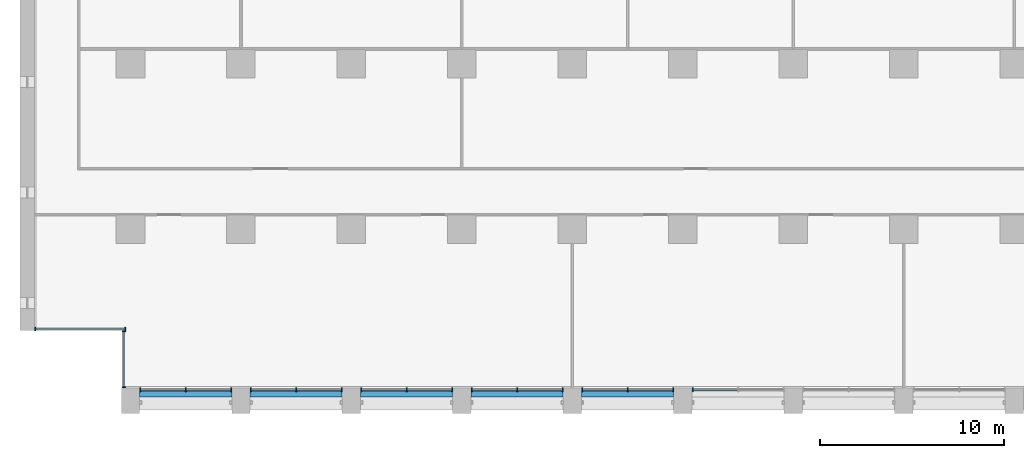
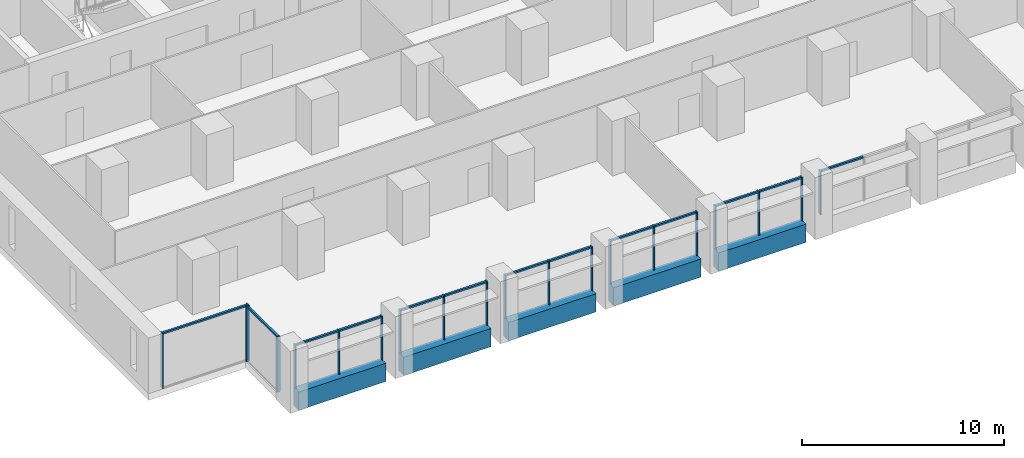
# One storey, part 2 of 17: 33 members, 5 beams, 8 elements without a shape of their own.
"""IFC4 building model written with IfcOpenShell, lengths in metres."""

from ifc_helpers import new_model, si_unit, direction, frame, origin, origin_2d, place, context, subcontext, project, spatial, rectangle, extrude, material, material_profile, profile_set, type_object, element, aggregate, save


model = new_model("IFC4")

# Units and contexts
model_context = context("Model", 3, precision=1e-05, world=origin(), true_north=direction((0.0, 1.0)))
body_context = subcontext(model_context, "Body", "Model", "MODEL_VIEW")
ifc_project = project(units=[si_unit("LENGTHUNIT", "METRE"), si_unit("AREAUNIT", "SQUARE_METRE"), si_unit("VOLUMEUNIT", "CUBIC_METRE"), si_unit("PLANEANGLEUNIT", "RADIAN"), si_unit("MASSUNIT", "GRAM", prefix="KILO")], contexts=[model_context])

# Site, building, storey
site_placement = place(None, origin())
site = spatial("IfcSite", under=ifc_project, at=site_placement, CompositionType="ELEMENT")
building_placement = place(site_placement, origin())
building = spatial("IfcBuilding", under=site, at=building_placement, Name="Calvaro Tower", CompositionType="ELEMENT")
storey_placement = place(building_placement, frame((0.0, 0.0, 75.0)))
storey = spatial("IfcBuildingStorey", under=building, at=storey_placement, Name="L18", CompositionType="ELEMENT", Elevation=75.0)

# Curtain wall, members
ifc_material_1 = material(Name="Anodised aluminium", Category="aluminium")
curtain_wall_type = type_object("IfcCurtainWallType", Name="Office curtain wall, lower zone", PredefinedType="NOTDEFINED", material=ifc_material_1)
curtain_wall_1_placement = place(storey_placement, origin())
curtain_wall_1 = element("IfcCurtainWall", 1, at=curtain_wall_1_placement, inside=storey, type_object=curtain_wall_type, Name="CW1 south curtain wall", PredefinedType="NOTDEFINED")
ifc_material_2 = material(Name="Anodised aluminium", Category="aluminium")
ifc_material_profile_1 = material_profile(ifc_material_2, rectangle(XDim=0.199951171875, YDim=0.06005859375, at=origin_2d()), Name="Mullion S1 60 x 200")
ifc_profile_set_1 = profile_set([ifc_material_profile_1], Name="Anodised aluminium")
member_type_1 = type_object("IfcMemberType", Name="Mullion S1 60 x 200", PredefinedType="MULLION", material=ifc_profile_set_1)
member_1_placement = place(storey_placement, frame((6.530029296875, 1.300048828125, 0.0), z_axis=(0.0, 0.0, 1.0), x_axis=(0.0, 1.0, 0.0)))
member_1 = element("IfcMember", 2, at=member_1_placement, type_object=member_type_1, Name="CW1 mullion 1", PredefinedType="MULLION", context=body_context, shape_type="SweptSolid", body=[
    extrude(rectangle(XDim=0.199951171875, YDim=0.06005859375, at=origin_2d()), origin(), (0.0, 0.0, 1.0), 2.64990234375),
])
member_2_placement = place(storey_placement, frame((9.0, 1.300048828125, 0.0), z_axis=(0.0, 0.0, 1.0), x_axis=(0.0, 1.0, 0.0)))
member_2 = element("IfcMember", 3, at=member_2_placement, type_object=member_type_1, Name="CW1 mullion 2", PredefinedType="MULLION", context=body_context, shape_type="SweptSolid", body=[
    extrude(rectangle(XDim=0.199951171875, YDim=0.06005859375, at=origin_2d()), origin(), (0.0, 0.0, 1.0), 2.64990234375),
])
member_3_placement = place(storey_placement, frame((11.469970703125, 1.300048828125, 0.0), z_axis=(0.0, 0.0, 1.0), x_axis=(0.0, 1.0, 0.0)))
member_3 = element("IfcMember", 4, at=member_3_placement, type_object=member_type_1, Name="CW1 mullion 3", PredefinedType="MULLION", context=body_context, shape_type="SweptSolid", body=[
    extrude(rectangle(XDim=0.199951171875, YDim=0.06005859375, at=origin_2d()), origin(), (0.0, 0.0, 1.0), 2.64990234375),
])

curtain_wall_2_placement = place(storey_placement, origin())
curtain_wall_2 = element("IfcCurtainWall", 5, at=curtain_wall_2_placement, inside=storey, type_object=curtain_wall_type, Name="CW1 south curtain wall", PredefinedType="NOTDEFINED")
member_4_placement = place(storey_placement, frame((12.530029296875, 1.300048828125, 0.0), z_axis=(0.0, 0.0, 1.0), x_axis=(0.0, 1.0, 0.0)))
member_4 = element("IfcMember", 6, at=member_4_placement, type_object=member_type_1, Name="CW1 mullion 1", PredefinedType="MULLION", context=body_context, shape_type="SweptSolid", body=[
    extrude(rectangle(XDim=0.199951171875, YDim=0.06005859375, at=origin_2d()), origin(), (0.0, 0.0, 1.0), 2.64990234375),
])
member_5_placement = place(storey_placement, frame((15.0, 1.300048828125, 0.0), z_axis=(0.0, 0.0, 1.0), x_axis=(0.0, 1.0, 0.0)))
member_5 = element("IfcMember", 7, at=member_5_placement, type_object=member_type_1, Name="CW1 mullion 2", PredefinedType="MULLION", context=body_context, shape_type="SweptSolid", body=[
    extrude(rectangle(XDim=0.199951171875, YDim=0.06005859375, at=origin_2d()), origin(), (0.0, 0.0, 1.0), 2.64990234375),
])
member_6_placement = place(storey_placement, frame((17.469970703125, 1.300048828125, 0.0), z_axis=(0.0, 0.0, 1.0), x_axis=(0.0, 1.0, 0.0)))
member_6 = element("IfcMember", 8, at=member_6_placement, type_object=member_type_1, Name="CW1 mullion 3", PredefinedType="MULLION", context=body_context, shape_type="SweptSolid", body=[
    extrude(rectangle(XDim=0.199951171875, YDim=0.06005859375, at=origin_2d()), origin(), (0.0, 0.0, 1.0), 2.64990234375),
])

curtain_wall_3_placement = place(storey_placement, origin())
curtain_wall_3 = element("IfcCurtainWall", 9, at=curtain_wall_3_placement, inside=storey, type_object=curtain_wall_type, Name="CW1 south curtain wall", PredefinedType="NOTDEFINED")
member_7_placement = place(storey_placement, frame((18.530029296875, 1.300048828125, 0.0), z_axis=(0.0, 0.0, 1.0), x_axis=(0.0, 1.0, 0.0)))
member_7 = element("IfcMember", 10, at=member_7_placement, type_object=member_type_1, Name="CW1 mullion 1", PredefinedType="MULLION", context=body_context, shape_type="SweptSolid", body=[
    extrude(rectangle(XDim=0.199951171875, YDim=0.06005859375, at=origin_2d()), origin(), (0.0, 0.0, 1.0), 2.64990234375),
])
member_8_placement = place(storey_placement, frame((21.0, 1.300048828125, 0.0), z_axis=(0.0, 0.0, 1.0), x_axis=(0.0, 1.0, 0.0)))
member_8 = element("IfcMember", 11, at=member_8_placement, type_object=member_type_1, Name="CW1 mullion 2", PredefinedType="MULLION", context=body_context, shape_type="SweptSolid", body=[
    extrude(rectangle(XDim=0.199951171875, YDim=0.06005859375, at=origin_2d()), origin(), (0.0, 0.0, 1.0), 2.64990234375),
])
member_9_placement = place(storey_placement, frame((23.469970703125, 1.300048828125, 0.0), z_axis=(0.0, 0.0, 1.0), x_axis=(0.0, 1.0, 0.0)))
member_9 = element("IfcMember", 12, at=member_9_placement, type_object=member_type_1, Name="CW1 mullion 3", PredefinedType="MULLION", context=body_context, shape_type="SweptSolid", body=[
    extrude(rectangle(XDim=0.199951171875, YDim=0.06005859375, at=origin_2d()), origin(), (0.0, 0.0, 1.0), 2.64990234375),
])

curtain_wall_4_placement = place(storey_placement, origin())
curtain_wall_4 = element("IfcCurtainWall", 13, at=curtain_wall_4_placement, inside=storey, type_object=curtain_wall_type, Name="CW1 south curtain wall", PredefinedType="NOTDEFINED")
member_10_placement = place(storey_placement, frame((24.530029296875, 1.300048828125, 0.0), z_axis=(0.0, 0.0, 1.0), x_axis=(0.0, 1.0, 0.0)))
member_10 = element("IfcMember", 14, at=member_10_placement, type_object=member_type_1, Name="CW1 mullion 1", PredefinedType="MULLION", context=body_context, shape_type="SweptSolid", body=[
    extrude(rectangle(XDim=0.199951171875, YDim=0.06005859375, at=origin_2d()), origin(), (0.0, 0.0, 1.0), 2.64990234375),
])
member_11_placement = place(storey_placement, frame((27.0, 1.300048828125, 0.0), z_axis=(0.0, 0.0, 1.0), x_axis=(0.0, 1.0, 0.0)))
member_11 = element("IfcMember", 15, at=member_11_placement, type_object=member_type_1, Name="CW1 mullion 2", PredefinedType="MULLION", context=body_context, shape_type="SweptSolid", body=[
    extrude(rectangle(XDim=0.199951171875, YDim=0.06005859375, at=origin_2d()), origin(), (0.0, 0.0, 1.0), 2.64990234375),
])
member_12_placement = place(storey_placement, frame((29.469970703125, 1.300048828125, 0.0), z_axis=(0.0, 0.0, 1.0), x_axis=(0.0, 1.0, 0.0)))
member_12 = element("IfcMember", 16, at=member_12_placement, type_object=member_type_1, Name="CW1 mullion 3", PredefinedType="MULLION", context=body_context, shape_type="SweptSolid", body=[
    extrude(rectangle(XDim=0.199951171875, YDim=0.06005859375, at=origin_2d()), origin(), (0.0, 0.0, 1.0), 2.64990234375),
])

curtain_wall_5_placement = place(storey_placement, origin())
curtain_wall_5 = element("IfcCurtainWall", 17, at=curtain_wall_5_placement, inside=storey, type_object=curtain_wall_type, Name="CW1 south curtain wall", PredefinedType="NOTDEFINED")
member_13_placement = place(storey_placement, frame((30.530029296875, 1.300048828125, 0.0), z_axis=(0.0, 0.0, 1.0), x_axis=(0.0, 1.0, 0.0)))
member_13 = element("IfcMember", 18, at=member_13_placement, type_object=member_type_1, Name="CW1 mullion 1", PredefinedType="MULLION", context=body_context, shape_type="SweptSolid", body=[
    extrude(rectangle(XDim=0.199951171875, YDim=0.06005859375, at=origin_2d()), origin(), (0.0, 0.0, 1.0), 2.64990234375),
])
member_14_placement = place(storey_placement, frame((33.0, 1.300048828125, 0.0), z_axis=(0.0, 0.0, 1.0), x_axis=(0.0, 1.0, 0.0)))
member_14 = element("IfcMember", 19, at=member_14_placement, type_object=member_type_1, Name="CW1 mullion 2", PredefinedType="MULLION", context=body_context, shape_type="SweptSolid", body=[
    extrude(rectangle(XDim=0.199951171875, YDim=0.06005859375, at=origin_2d()), origin(), (0.0, 0.0, 1.0), 2.64990234375),
])
member_15_placement = place(storey_placement, frame((35.469970703125, 1.300048828125, 0.0), z_axis=(0.0, 0.0, 1.0), x_axis=(0.0, 1.0, 0.0)))
member_15 = element("IfcMember", 20, at=member_15_placement, type_object=member_type_1, Name="CW1 mullion 3", PredefinedType="MULLION", context=body_context, shape_type="SweptSolid", body=[
    extrude(rectangle(XDim=0.199951171875, YDim=0.06005859375, at=origin_2d()), origin(), (0.0, 0.0, 1.0), 2.64990234375),
])

# Curtain wall, member
curtain_wall_6_placement = place(storey_placement, origin())
curtain_wall_6 = element("IfcCurtainWall", 21, at=curtain_wall_6_placement, inside=storey, type_object=curtain_wall_type, Name="CW1 south curtain wall", PredefinedType="NOTDEFINED")
member_16_placement = place(storey_placement, frame((36.530029296875, 1.300048828125, 0.0), z_axis=(0.0, 0.0, 1.0), x_axis=(0.0, 1.0, 0.0)))
member_16 = element("IfcMember", 22, at=member_16_placement, type_object=member_type_1, Name="CW1 mullion 1", PredefinedType="MULLION", context=body_context, shape_type="SweptSolid", body=[
    extrude(rectangle(XDim=0.199951171875, YDim=0.06005859375, at=origin_2d()), origin(), (0.0, 0.0, 1.0), 2.64990234375),
])

# Curtain wall, members
curtain_wall_7_placement = place(storey_placement, origin())
curtain_wall_7 = element("IfcCurtainWall", 23, at=curtain_wall_7_placement, inside=storey, type_object=curtain_wall_type, Name="CW1 corner curtain wall", PredefinedType="NOTDEFINED")
member_17_placement = place(storey_placement, frame((5.64990234375, 1.429931640625, 0.0), z_axis=(0.0, 0.0, 1.0), x_axis=(-1.0, 0.0, 0.0)))
member_17 = element("IfcMember", 24, at=member_17_placement, type_object=member_type_1, Name="CW1 mullion 1", PredefinedType="MULLION", context=body_context, shape_type="SweptSolid", body=[
    extrude(rectangle(XDim=0.199951171875, YDim=0.06005859375, at=origin_2d()), origin(), (0.0, 0.0, 1.0), 3.35009765625),
])
member_18_placement = place(storey_placement, frame((5.64990234375, 4.469970703125, 0.0), z_axis=(0.0, 0.0, 1.0), x_axis=(-1.0, 0.0, 0.0)))
member_18 = element("IfcMember", 25, at=member_18_placement, type_object=member_type_1, Name="CW1 mullion 2", PredefinedType="MULLION", context=body_context, shape_type="SweptSolid", body=[
    extrude(rectangle(XDim=0.199951171875, YDim=0.06005859375, at=origin_2d()), origin(), (0.0, 0.0, 1.0), 3.35009765625),
])

curtain_wall_8_placement = place(storey_placement, origin())
curtain_wall_8 = element("IfcCurtainWall", 26, at=curtain_wall_8_placement, inside=storey, type_object=curtain_wall_type, Name="CW1 corner curtain wall", PredefinedType="NOTDEFINED")
member_19_placement = place(storey_placement, frame((0.830078125, 4.60009765625, 0.0), z_axis=(0.0, 0.0, 1.0), x_axis=(0.0, 1.0, 0.0)))
member_19 = element("IfcMember", 27, at=member_19_placement, type_object=member_type_1, Name="CW1 mullion 1", PredefinedType="MULLION", context=body_context, shape_type="SweptSolid", body=[
    extrude(rectangle(XDim=0.199951171875, YDim=0.06005859375, at=origin_2d()), origin(), (0.0, 0.0, 1.0), 3.35009765625),
])
member_20_placement = place(storey_placement, frame((5.719970703125, 4.60009765625, 0.0), z_axis=(0.0, 0.0, 1.0), x_axis=(0.0, 1.0, 0.0)))
member_20 = element("IfcMember", 28, at=member_20_placement, type_object=member_type_1, Name="CW1 mullion 2", PredefinedType="MULLION", context=body_context, shape_type="SweptSolid", body=[
    extrude(rectangle(XDim=0.199951171875, YDim=0.06005859375, at=origin_2d()), origin(), (0.0, 0.0, 1.0), 3.35009765625),
])

# Beams
ifc_material_3 = material(Name="Concrete C50/60 precast", Category="concrete")
ifc_material_profile_2 = material_profile(ifc_material_3, rectangle(XDim=0.5, YDim=1.10009765625, at=origin_2d()), Name="RC 500x1100")
ifc_profile_set_2 = profile_set([ifc_material_profile_2], Name="Concrete C50/60 precast")
beam_type = type_object("IfcBeamType", Name="Spandrel beam 500x1100 C50/60", PredefinedType="SPANDREL", material=ifc_profile_set_2)
for number, where, z_axis, x_axis, name in (
    (29, (6.5, 1.14990234375, -0.550048828125), (1.0, 0.0, 0.0), (0.0, 1.0, 0.0), "Spandrel beam"),
    (30, (12.5, 1.14990234375, -0.550048828125), (1.0, 0.0, 0.0), (0.0, 1.0, 0.0), "Spandrel beam"),
    (31, (18.5, 1.14990234375, -0.550048828125), (1.0, 0.0, 0.0), (0.0, 1.0, 0.0), "Spandrel beam"),
    (32, (24.5, 1.14990234375, -0.550048828125), (1.0, 0.0, 0.0), (0.0, 1.0, 0.0), "Spandrel beam"),
    (33, (30.5, 1.14990234375, -0.550048828125), (1.0, 0.0, 0.0), (0.0, 1.0, 0.0), "Spandrel beam"),
):
    element("IfcBeam", number, at=place(storey_placement, frame(where, z_axis=z_axis, x_axis=x_axis)), inside=storey, type_object=beam_type, Name=name, PredefinedType="SPANDREL", context=body_context, shape_type="SweptSolid", body=[
        extrude(rectangle(XDim=0.5, YDim=1.10009765625, at=origin_2d()), origin(), (0.0, 0.0, 1.0), 5.0),
    ])

# Member
ifc_material_4 = material(Name="Anodised aluminium", Category="aluminium")
ifc_material_profile_3 = material_profile(ifc_material_4, rectangle(XDim=0.1201171875, YDim=0.10009765625, at=origin_2d()), Name="Transom S1 100 x 120")
ifc_profile_set_3 = profile_set([ifc_material_profile_3], Name="Anodised aluminium")
member_type_2 = type_object("IfcMemberType", Name="Transom S1 100 x 120", PredefinedType="USERDEFINED", material=ifc_profile_set_3)
member_21_placement = place(storey_placement, frame((6.56005859375, 1.300048828125, 2.60009765625), z_axis=(1.0, 0.0, 0.0), x_axis=(0.0, 1.0, 0.0)))
member_21 = element("IfcMember", 34, at=member_21_placement, type_object=member_type_2, Name="CW1 transom 1.1", ObjectType="TRANSOM", PredefinedType="USERDEFINED", context=body_context, shape_type="SweptSolid", body=[
    extrude(rectangle(XDim=0.1201171875, YDim=0.10009765625, at=origin_2d()), origin(), (0.0, 0.0, 1.0), 2.409912109375),
])

member_22_placement = place(storey_placement, frame((9.030029296875, 1.300048828125, 2.60009765625), z_axis=(1.0, 0.0, 0.0), x_axis=(0.0, 1.0, 0.0)))
member_22 = element("IfcMember", 35, at=member_22_placement, type_object=member_type_2, Name="CW1 transom 2.1", ObjectType="TRANSOM", PredefinedType="USERDEFINED", context=body_context, shape_type="SweptSolid", body=[
    extrude(rectangle(XDim=0.1201171875, YDim=0.10009765625, at=origin_2d()), origin(), (0.0, 0.0, 1.0), 2.409912109375),
])

aggregate(curtain_wall_1, [member_1, member_2, member_3, member_21, member_22])

member_23_placement = place(storey_placement, frame((12.56005859375, 1.300048828125, 2.60009765625), z_axis=(1.0, 0.0, 0.0), x_axis=(0.0, 1.0, 0.0)))
member_23 = element("IfcMember", 36, at=member_23_placement, type_object=member_type_2, Name="CW1 transom 1.1", ObjectType="TRANSOM", PredefinedType="USERDEFINED", context=body_context, shape_type="SweptSolid", body=[
    extrude(rectangle(XDim=0.1201171875, YDim=0.10009765625, at=origin_2d()), origin(), (0.0, 0.0, 1.0), 2.409912109375),
])

member_24_placement = place(storey_placement, frame((15.030029296875, 1.300048828125, 2.60009765625), z_axis=(1.0, 0.0, 0.0), x_axis=(0.0, 1.0, 0.0)))
member_24 = element("IfcMember", 37, at=member_24_placement, type_object=member_type_2, Name="CW1 transom 2.1", ObjectType="TRANSOM", PredefinedType="USERDEFINED", context=body_context, shape_type="SweptSolid", body=[
    extrude(rectangle(XDim=0.1201171875, YDim=0.10009765625, at=origin_2d()), origin(), (0.0, 0.0, 1.0), 2.409912109375),
])

aggregate(curtain_wall_2, [member_4, member_5, member_6, member_23, member_24])

member_25_placement = place(storey_placement, frame((18.56005859375, 1.300048828125, 2.60009765625), z_axis=(1.0, 0.0, 0.0), x_axis=(0.0, 1.0, 0.0)))
member_25 = element("IfcMember", 38, at=member_25_placement, type_object=member_type_2, Name="CW1 transom 1.1", ObjectType="TRANSOM", PredefinedType="USERDEFINED", context=body_context, shape_type="SweptSolid", body=[
    extrude(rectangle(XDim=0.1201171875, YDim=0.10009765625, at=origin_2d()), origin(), (0.0, 0.0, 1.0), 2.409912109375),
])

member_26_placement = place(storey_placement, frame((21.030029296875, 1.300048828125, 2.60009765625), z_axis=(1.0, 0.0, 0.0), x_axis=(0.0, 1.0, 0.0)))
member_26 = element("IfcMember", 39, at=member_26_placement, type_object=member_type_2, Name="CW1 transom 2.1", ObjectType="TRANSOM", PredefinedType="USERDEFINED", context=body_context, shape_type="SweptSolid", body=[
    extrude(rectangle(XDim=0.1201171875, YDim=0.10009765625, at=origin_2d()), origin(), (0.0, 0.0, 1.0), 2.409912109375),
])

aggregate(curtain_wall_3, [member_7, member_8, member_9, member_25, member_26])

member_27_placement = place(storey_placement, frame((24.56005859375, 1.300048828125, 2.60009765625), z_axis=(1.0, 0.0, 0.0), x_axis=(0.0, 1.0, 0.0)))
member_27 = element("IfcMember", 40, at=member_27_placement, type_object=member_type_2, Name="CW1 transom 1.1", ObjectType="TRANSOM", PredefinedType="USERDEFINED", context=body_context, shape_type="SweptSolid", body=[
    extrude(rectangle(XDim=0.1201171875, YDim=0.10009765625, at=origin_2d()), origin(), (0.0, 0.0, 1.0), 2.409912109375),
])

member_28_placement = place(storey_placement, frame((27.030029296875, 1.300048828125, 2.60009765625), z_axis=(1.0, 0.0, 0.0), x_axis=(0.0, 1.0, 0.0)))
member_28 = element("IfcMember", 41, at=member_28_placement, type_object=member_type_2, Name="CW1 transom 2.1", ObjectType="TRANSOM", PredefinedType="USERDEFINED", context=body_context, shape_type="SweptSolid", body=[
    extrude(rectangle(XDim=0.1201171875, YDim=0.10009765625, at=origin_2d()), origin(), (0.0, 0.0, 1.0), 2.409912109375),
])

aggregate(curtain_wall_4, [member_10, member_11, member_12, member_27, member_28])

member_29_placement = place(storey_placement, frame((30.56005859375, 1.300048828125, 2.60009765625), z_axis=(1.0, 0.0, 0.0), x_axis=(0.0, 1.0, 0.0)))
member_29 = element("IfcMember", 42, at=member_29_placement, type_object=member_type_2, Name="CW1 transom 1.1", ObjectType="TRANSOM", PredefinedType="USERDEFINED", context=body_context, shape_type="SweptSolid", body=[
    extrude(rectangle(XDim=0.1201171875, YDim=0.10009765625, at=origin_2d()), origin(), (0.0, 0.0, 1.0), 2.409912109375),
])

member_30_placement = place(storey_placement, frame((33.030029296875, 1.300048828125, 2.60009765625), z_axis=(1.0, 0.0, 0.0), x_axis=(0.0, 1.0, 0.0)))
member_30 = element("IfcMember", 43, at=member_30_placement, type_object=member_type_2, Name="CW1 transom 2.1", ObjectType="TRANSOM", PredefinedType="USERDEFINED", context=body_context, shape_type="SweptSolid", body=[
    extrude(rectangle(XDim=0.1201171875, YDim=0.10009765625, at=origin_2d()), origin(), (0.0, 0.0, 1.0), 2.409912109375),
])

aggregate(curtain_wall_5, [member_13, member_14, member_15, member_29, member_30])

member_31_placement = place(storey_placement, frame((36.56005859375, 1.300048828125, 2.60009765625), z_axis=(1.0, 0.0, 0.0), x_axis=(0.0, 1.0, 0.0)))
member_31 = element("IfcMember", 44, at=member_31_placement, type_object=member_type_2, Name="CW1 transom 1.1", ObjectType="TRANSOM", PredefinedType="USERDEFINED", context=body_context, shape_type="SweptSolid", body=[
    extrude(rectangle(XDim=0.1201171875, YDim=0.10009765625, at=origin_2d()), origin(), (0.0, 0.0, 1.0), 2.409912109375),
])

aggregate(curtain_wall_6, [member_16, member_31])

member_32_placement = place(storey_placement, frame((5.64990234375, 1.4599609375, 3.300048828125), z_axis=(0.0, 1.0, 0.0), x_axis=(-1.0, 0.0, 0.0)))
member_32 = element("IfcMember", 45, at=member_32_placement, type_object=member_type_2, Name="CW1 transom 1.1", ObjectType="TRANSOM", PredefinedType="USERDEFINED", context=body_context, shape_type="SweptSolid", body=[
    extrude(rectangle(XDim=0.1201171875, YDim=0.10009765625, at=origin_2d()), origin(), (0.0, 0.0, 1.0), 2.97998046875),
])

aggregate(curtain_wall_7, [member_17, member_18, member_32])

member_33_placement = place(storey_placement, frame((0.860107421875, 4.60009765625, 3.300048828125), z_axis=(1.0, 0.0, 0.0), x_axis=(0.0, 1.0, 0.0)))
member_33 = element("IfcMember", 46, at=member_33_placement, type_object=member_type_2, Name="CW1 transom 1.1", ObjectType="TRANSOM", PredefinedType="USERDEFINED", context=body_context, shape_type="SweptSolid", body=[
    extrude(rectangle(XDim=0.1201171875, YDim=0.10009765625, at=origin_2d()), origin(), (0.0, 0.0, 1.0), 4.829833984375),
])

aggregate(curtain_wall_8, [member_19, member_20, member_33])

save(model, "model.ifc")
